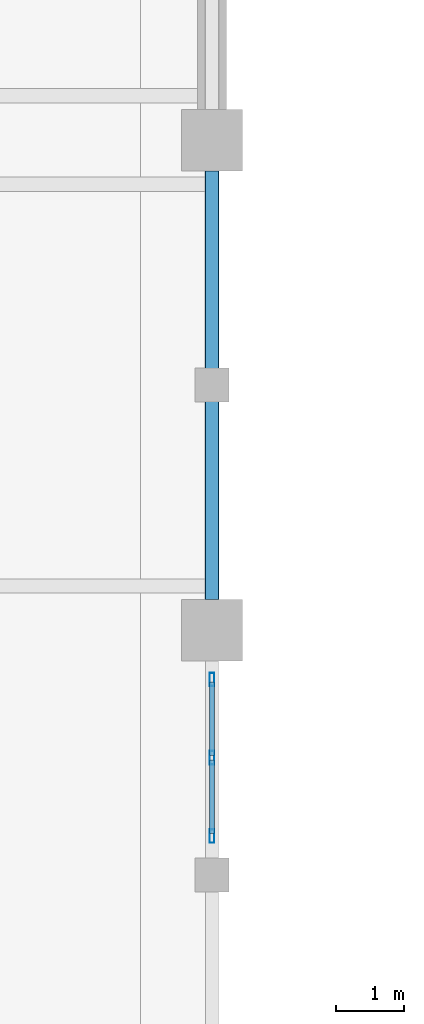
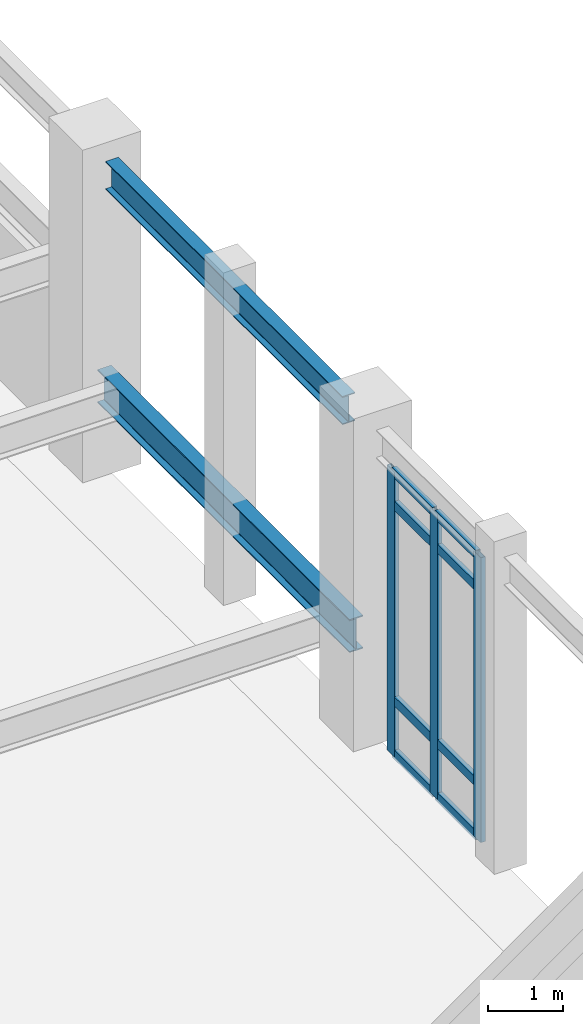
# One storey, part 20 of 102: 11 members, 2 beams, 1 element without a shape of its own.
"""IFC4 building model written with IfcOpenShell, lengths in metres."""

from ifc_helpers import new_model, si_unit, direction, frame, origin, origin_2d, place, context, subcontext, project, spatial, hollow_rectangle, i_section, extrude, material, layer, layer_set, material_profile, profile_set, type_object, element, aggregate, save


model = new_model("IFC4")

# Units and contexts
model_context = context("Model", 3, precision=1e-05, world=origin(), true_north=direction((0.0, 1.0)))
body_context = subcontext(model_context, "Body", "Model", "MODEL_VIEW")
ifc_project = project(units=[si_unit("LENGTHUNIT", "METRE"), si_unit("AREAUNIT", "SQUARE_METRE"), si_unit("VOLUMEUNIT", "CUBIC_METRE"), si_unit("PLANEANGLEUNIT", "RADIAN"), si_unit("MASSUNIT", "GRAM", prefix="KILO")], contexts=[model_context])

# Site, building, storey
site_placement = place(None, origin())
site = spatial("IfcSite", under=ifc_project, at=site_placement, CompositionType="ELEMENT")
building_placement = place(site_placement, origin())
building = spatial("IfcBuilding", under=site, at=building_placement, Name="Carrowvane Square Congress Hotel", CompositionType="ELEMENT")
storey_placement = place(building_placement, origin())
storey = spatial("IfcBuildingStorey", under=building, at=storey_placement, Name="L00", CompositionType="ELEMENT", Elevation=0.0)

# Beams
ifc_material_1 = material(Name="Steel S355", Category="steel")
ifc_material_profile_1 = material_profile(ifc_material_1, i_section(OverallWidth=0.19140625, OverallDepth=0.4599609375, WebThickness=0.010009765625, FlangeThickness=0.01611328125, FilletRadius=0.01025390625, at=origin_2d()), Name="UKB 457x191x82")
ifc_profile_set_1 = profile_set([ifc_material_profile_1], Name="Steel S355")
beam_type_1 = type_object("IfcBeamType", Name="BM-ST-UKB457", PredefinedType="SPANDREL", material=ifc_profile_set_1)
beam_1_placement = place(storey_placement, frame((62.0, 27.449951171875, 4.8701171875), z_axis=(0.0, 1.0, 0.0), x_axis=(-1.0, 0.0, 0.0)))
element("IfcBeam", 1, at=beam_1_placement, inside=storey, type_object=beam_type_1, Name="L01 girder 8/D-E", PredefinedType="SPANDREL", context=body_context, shape_type="SweptSolid", body=[
    extrude(i_section(OverallWidth=0.19140625, OverallDepth=0.4599609375, WebThickness=0.010009765625, FlangeThickness=0.01611328125, FilletRadius=0.01025390625, at=origin_2d()), origin(), (0.0, 0.0, 1.0), 6.300048828125),
])
ifc_material_2 = material(Name="Steel S355", Category="steel")
ifc_material_profile_2 = material_profile(ifc_material_2, i_section(OverallWidth=0.2099609375, OverallDepth=0.53662109375, WebThickness=0.0107421875, FlangeThickness=0.017333984375, FilletRadius=0.0126953125, at=origin_2d()), Name="UKB 533x210x101")
ifc_profile_set_2 = profile_set([ifc_material_profile_2], Name="Steel S355")
beam_type_2 = type_object("IfcBeamType", Name="BM-ST-UKB533", PredefinedType="USERDEFINED", material=ifc_profile_set_2)
beam_2_placement = place(storey_placement, frame((62.0, 27.25, 1.33154296875), z_axis=(0.0, 1.0, 0.0), x_axis=(-1.0, 0.0, 0.0)))
element("IfcBeam", 2, at=beam_2_placement, inside=storey, type_object=beam_type_2, Name="L00 seating tier 1 E header girder", ObjectType="GIRDER", PredefinedType="USERDEFINED", context=body_context, shape_type="SweptSolid", body=[
    extrude(i_section(OverallWidth=0.2099609375, OverallDepth=0.53662109375, WebThickness=0.0107421875, FlangeThickness=0.017333984375, FilletRadius=0.0126953125, at=origin_2d()), origin(), (0.0, 0.0, 1.0), 6.699951171875),
])

# Curtain wall, members
ifc_material_3 = material(Name="Anodised aluminium", Category="aluminium")
ifc_layer = layer(ifc_material_3, 0.174072265625)
ifc_layer_set = layer_set([ifc_layer], Name="Anodised aluminium")
curtain_wall_type = type_object("IfcCurtainWallType", Name="CW-SYS-2", PredefinedType="NOTDEFINED", material=ifc_layer_set)
curtain_wall_placement = place(storey_placement, origin())
curtain_wall = element("IfcCurtainWall", 3, at=curtain_wall_placement, inside=storey, type_object=curtain_wall_type, Name="L00 unitised curtain wall 57", PredefinedType="NOTDEFINED")
ifc_material_4 = material(Name="Anodised aluminium", Category="aluminium")
ifc_material_profile_3 = material_profile(ifc_material_4, hollow_rectangle(XDim=0.070068359375, YDim=0.199951171875, WallThickness=0.0048828125, at=origin_2d()), Name="CW-ML 70x200x5")
ifc_profile_set_3 = profile_set([ifc_material_profile_3], Name="Anodised aluminium")
member_type_1 = type_object("IfcMemberType", Name="CW-MUL-2", PredefinedType="MULLION", material=ifc_profile_set_3)
member_1_placement = place(storey_placement, frame((62.0, 26.27490234375, 0.0), z_axis=(0.0, 0.0, 1.0), x_axis=(1.0, 0.0, 0.0)))
member_1 = element("IfcMember", 4, at=member_1_placement, type_object=member_type_1, Name="CW-2 mullion 1", PredefinedType="MULLION", context=body_context, shape_type="SweptSolid", body=[
    extrude(hollow_rectangle(XDim=0.070068359375, YDim=0.199951171875, WallThickness=0.0048828125, at=origin_2d()), origin(), (0.0, 0.0, 1.0), 4.625),
])
member_2_placement = place(storey_placement, frame((62.0, 25.125, 0.0), z_axis=(0.0, 0.0, 1.0), x_axis=(1.0, 0.0, 0.0)))
member_2 = element("IfcMember", 5, at=member_2_placement, type_object=member_type_1, Name="CW-2 mullion 2", PredefinedType="MULLION", context=body_context, shape_type="SweptSolid", body=[
    extrude(hollow_rectangle(XDim=0.070068359375, YDim=0.199951171875, WallThickness=0.0048828125, at=origin_2d()), origin(), (0.0, 0.0, 1.0), 4.625),
])
member_3_placement = place(storey_placement, frame((62.0, 23.97509765625, 0.0), z_axis=(0.0, 0.0, 1.0), x_axis=(1.0, 0.0, 0.0)))
member_3 = element("IfcMember", 6, at=member_3_placement, type_object=member_type_1, Name="CW-2 mullion 3", PredefinedType="MULLION", context=body_context, shape_type="SweptSolid", body=[
    extrude(hollow_rectangle(XDim=0.070068359375, YDim=0.199951171875, WallThickness=0.0048828125, at=origin_2d()), origin(), (0.0, 0.0, 1.0), 4.625),
])
ifc_material_5 = material(Name="Anodised aluminium", Category="aluminium")
ifc_material_profile_4 = material_profile(ifc_material_5, hollow_rectangle(XDim=0.070068359375, YDim=0.14990234375, WallThickness=0.0048828125, at=origin_2d()), Name="CW-TR 70x150x5")
ifc_profile_set_4 = profile_set([ifc_material_profile_4], Name="Anodised aluminium")
member_type_2 = type_object("IfcMemberType", Name="CW-TRN-2", PredefinedType="USERDEFINED", material=ifc_profile_set_4)
member_4_placement = place(storey_placement, frame((62.0, 26.239990234375, 0.034912109375), z_axis=(0.0, -1.0, 0.0), x_axis=(1.0, 0.0, 0.0)))
member_4 = element("IfcMember", 7, at=member_4_placement, type_object=member_type_2, Name="CW-2 transom 1.1", ObjectType="TRANSOM", PredefinedType="USERDEFINED", context=body_context, shape_type="SweptSolid", body=[
    extrude(hollow_rectangle(XDim=0.070068359375, YDim=0.14990234375, WallThickness=0.0048828125, at=origin_2d()), origin(), (0.0, 0.0, 1.0), 1.080078125),
])
member_5_placement = place(storey_placement, frame((62.0, 26.239990234375, 0.89990234375), z_axis=(0.0, -1.0, 0.0), x_axis=(1.0, 0.0, 0.0)))
member_5 = element("IfcMember", 8, at=member_5_placement, type_object=member_type_2, Name="CW-2 transom 1.2", ObjectType="TRANSOM", PredefinedType="USERDEFINED", context=body_context, shape_type="SweptSolid", body=[
    extrude(hollow_rectangle(XDim=0.070068359375, YDim=0.14990234375, WallThickness=0.0048828125, at=origin_2d()), origin(), (0.0, 0.0, 1.0), 1.080078125),
])
member_6_placement = place(storey_placement, frame((62.0, 26.239990234375, 4.074951171875), z_axis=(0.0, -1.0, 0.0), x_axis=(1.0, 0.0, 0.0)))
member_6 = element("IfcMember", 9, at=member_6_placement, type_object=member_type_2, Name="CW-2 transom 1.3", ObjectType="TRANSOM", PredefinedType="USERDEFINED", context=body_context, shape_type="SweptSolid", body=[
    extrude(hollow_rectangle(XDim=0.070068359375, YDim=0.14990234375, WallThickness=0.0048828125, at=origin_2d()), origin(), (0.0, 0.0, 1.0), 1.080078125),
])
member_7_placement = place(storey_placement, frame((62.0, 26.239990234375, 4.590087890625), z_axis=(0.0, -1.0, 0.0), x_axis=(1.0, 0.0, 0.0)))
member_7 = element("IfcMember", 10, at=member_7_placement, type_object=member_type_2, Name="CW-2 transom 1.4", ObjectType="TRANSOM", PredefinedType="USERDEFINED", context=body_context, shape_type="SweptSolid", body=[
    extrude(hollow_rectangle(XDim=0.070068359375, YDim=0.14990234375, WallThickness=0.0048828125, at=origin_2d()), origin(), (0.0, 0.0, 1.0), 1.080078125),
])
member_8_placement = place(storey_placement, frame((62.0, 25.090087890625, 0.034912109375), z_axis=(0.0, -1.0, 0.0), x_axis=(1.0, 0.0, 0.0)))
member_8 = element("IfcMember", 11, at=member_8_placement, type_object=member_type_2, Name="CW-2 transom 2.1", ObjectType="TRANSOM", PredefinedType="USERDEFINED", context=body_context, shape_type="SweptSolid", body=[
    extrude(hollow_rectangle(XDim=0.070068359375, YDim=0.14990234375, WallThickness=0.0048828125, at=origin_2d()), origin(), (0.0, 0.0, 1.0), 1.080078125),
])
member_9_placement = place(storey_placement, frame((62.0, 25.090087890625, 0.89990234375), z_axis=(0.0, -1.0, 0.0), x_axis=(1.0, 0.0, 0.0)))
member_9 = element("IfcMember", 12, at=member_9_placement, type_object=member_type_2, Name="CW-2 transom 2.2", ObjectType="TRANSOM", PredefinedType="USERDEFINED", context=body_context, shape_type="SweptSolid", body=[
    extrude(hollow_rectangle(XDim=0.070068359375, YDim=0.14990234375, WallThickness=0.0048828125, at=origin_2d()), origin(), (0.0, 0.0, 1.0), 1.080078125),
])
member_10_placement = place(storey_placement, frame((62.0, 25.090087890625, 4.074951171875), z_axis=(0.0, -1.0, 0.0), x_axis=(1.0, 0.0, 0.0)))
member_10 = element("IfcMember", 13, at=member_10_placement, type_object=member_type_2, Name="CW-2 transom 2.3", ObjectType="TRANSOM", PredefinedType="USERDEFINED", context=body_context, shape_type="SweptSolid", body=[
    extrude(hollow_rectangle(XDim=0.070068359375, YDim=0.14990234375, WallThickness=0.0048828125, at=origin_2d()), origin(), (0.0, 0.0, 1.0), 1.080078125),
])
member_11_placement = place(storey_placement, frame((62.0, 25.090087890625, 4.590087890625), z_axis=(0.0, -1.0, 0.0), x_axis=(1.0, 0.0, 0.0)))
member_11 = element("IfcMember", 14, at=member_11_placement, type_object=member_type_2, Name="CW-2 transom 2.4", ObjectType="TRANSOM", PredefinedType="USERDEFINED", context=body_context, shape_type="SweptSolid", body=[
    extrude(hollow_rectangle(XDim=0.070068359375, YDim=0.14990234375, WallThickness=0.0048828125, at=origin_2d()), origin(), (0.0, 0.0, 1.0), 1.080078125),
])
aggregate(curtain_wall, [member_1, member_2, member_3, member_4, member_5, member_6, member_7, member_8, member_9, member_10, member_11])

save(model, "model.ifc")
